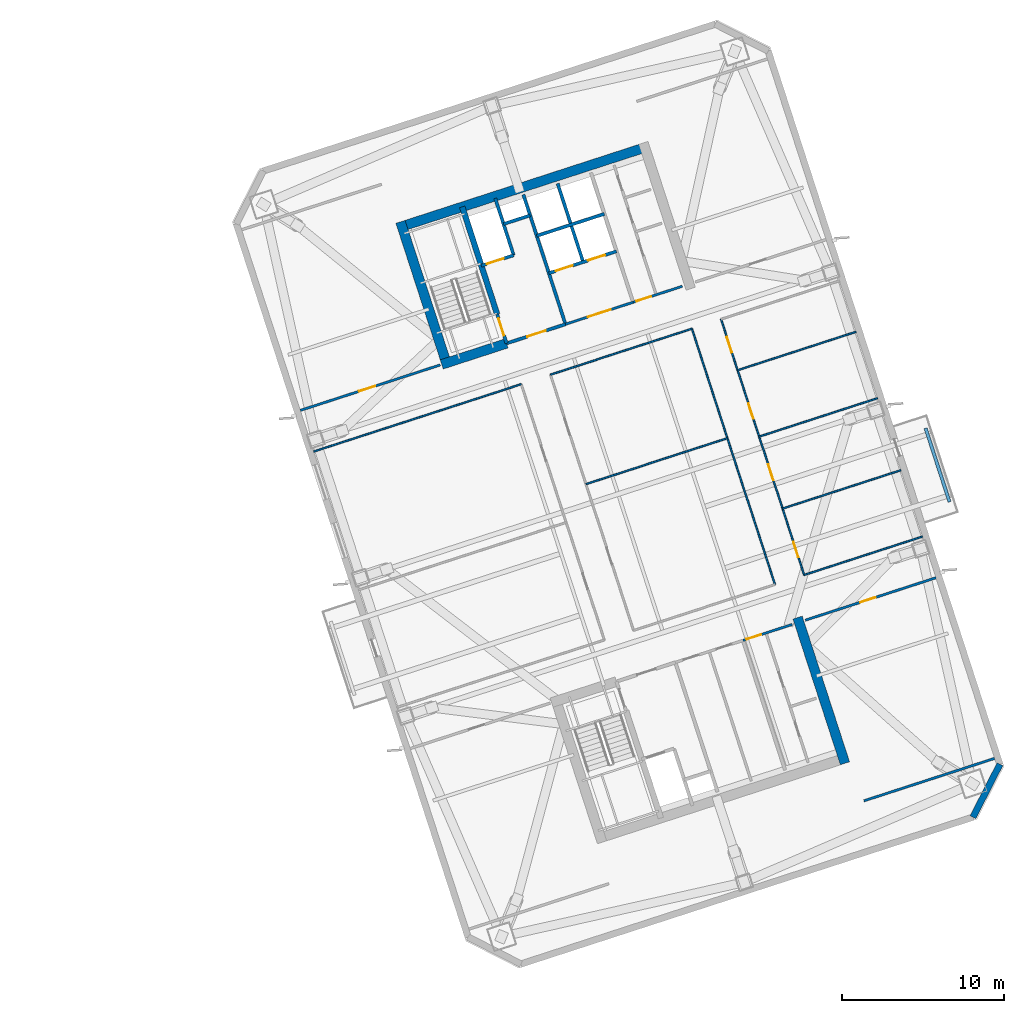
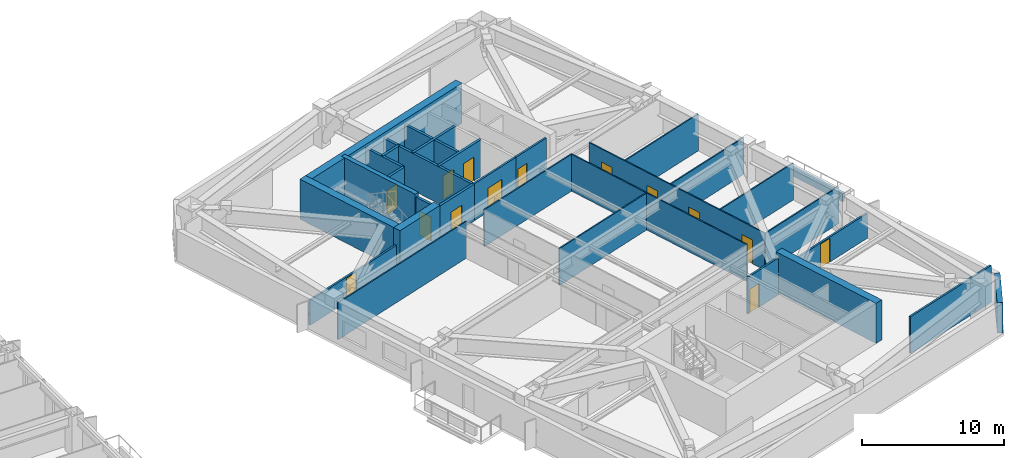
# One storey, part 9 of 17: 31 walls, 14 doors, 14 openings.
"""IFC4 building model written with IfcOpenShell, lengths in metres."""

import ifcopenshell
import ifcopenshell.guid

model = None  # the IFC model being written
_history = None  # IfcOwnerHistory: only IFC2X3 demands one
_inside = {}  # id of a spatial element -> (the spatial element, [elements in it])
_under = {}  # id of a project, library or spatial element -> (it, [spatial elements below it])
_declared = {}  # id of a project -> (the project, [libraries it declares])
_typed = {}  # id of a type object -> (the type object, [elements of that type])
_made_of = {}  # id of a material, layer set ... -> (it, [elements and type objects made of it])


def new_model(schema):
    """Start an empty IFC model of exactly this schema.

    Asked for "IFC4X3", IfcOpenShell would pick the latest addendum, in which some entities
    have other attributes; the version numbers below select the first issue.
    IFC2X3 requires an IfcOwnerHistory on every rooted entity: one is made here for all.
    """
    global model, _history
    if schema == "IFC4X3":
        model = ifcopenshell.file(schema_version=(4, 3, 0, 0))
    else:
        model = ifcopenshell.file(schema=schema)
    _inside.clear()
    _under.clear()
    _declared.clear()
    _typed.clear()
    _made_of.clear()
    _history = None
    if model.schema == "IFC2X3":
        org = make("IfcOrganization", Name="unknown")
        user = make(
            "IfcPersonAndOrganization",
            ThePerson=make("IfcPerson", FamilyName="unknown"),
            TheOrganization=org,
        )
        app = make(
            "IfcApplication",
            ApplicationDeveloper=org,
            Version="unknown",
            ApplicationFullName="unknown",
            ApplicationIdentifier="unknown",
        )
        _history = make(
            "IfcOwnerHistory",
            OwningUser=user,
            OwningApplication=app,
            ChangeAction="ADDED",
            CreationDate=0,
        )
    return model


def make(cls, **values):
    """One entity of the class cls with the attributes given. An attribute that is None is left unset."""
    return model.create_entity(
        cls, **{name: value for name, value in values.items() if value is not None}
    )


def rooted(cls, **values):
    """An entity with a GlobalId (a new one), such as an element, a storey or a relation."""
    return make(cls, GlobalId=ifcopenshell.guid.new(), OwnerHistory=_history, **values)


def si_unit(unit_type, name, prefix=None):
    """IfcSIUnit, for example si_unit("LENGTHUNIT", "METRE", prefix="MILLI")."""
    return make("IfcSIUnit", UnitType=unit_type, Prefix=prefix, Name=name)


def assignment(units):
    """IfcUnitAssignment: the units of a project."""
    return None if units is None else make("IfcUnitAssignment", Units=units)


def point(xyz):
    """IfcCartesianPoint."""
    return None if xyz is None else make("IfcCartesianPoint", Coordinates=xyz)


def direction(xyz):
    """IfcDirection."""
    return None if xyz is None else make("IfcDirection", DirectionRatios=xyz)


def frame(location, z_axis=None, x_axis=None):
    """IfcAxis2Placement3D, a coordinate frame: its origin and axes. An axis left out is left unset."""
    return make(
        "IfcAxis2Placement3D",
        Location=point(location),
        Axis=direction(z_axis),
        RefDirection=direction(x_axis),
    )


def frame_2d(location, x_axis=None):
    """IfcAxis2Placement2D, a coordinate frame in the plane: its origin and x axis."""
    return make(
        "IfcAxis2Placement2D", Location=point(location), RefDirection=direction(x_axis)
    )


def origin():
    """The frame at (0, 0, 0) with its axes left unset."""
    return frame((0.0, 0.0, 0.0))


def place(relative_to, where):
    """IfcLocalPlacement: puts the frame where relative to a parent placement (None: the world)."""
    return make(
        "IfcLocalPlacement", PlacementRelTo=relative_to, RelativePlacement=where
    )


def context(
    kind, dimensions, precision=None, world=None, true_north=None, identifier=None
):
    """IfcGeometricRepresentationContext, for example the 3D "Model" context."""
    return make(
        "IfcGeometricRepresentationContext",
        ContextIdentifier=identifier,
        ContextType=kind,
        CoordinateSpaceDimension=dimensions,
        Precision=precision,
        WorldCoordinateSystem=world,
        TrueNorth=true_north,
    )


def subcontext(parent, identifier, kind, view, scale=None):
    """IfcGeometricRepresentationSubContext, for example "Body" below "Model"."""
    return make(
        "IfcGeometricRepresentationSubContext",
        ContextIdentifier=identifier,
        ContextType=kind,
        ParentContext=parent,
        TargetScale=scale,
        TargetView=view,
    )


def project(units=None, contexts=None):
    """IfcProject with its units and contexts."""
    return rooted(
        "IfcProject",
        Name="project",
        RepresentationContexts=contexts,
        UnitsInContext=assignment(units),
    )


def spatial(cls, under=None, at=None, **own):
    """A site, building, storey or space (cls), placed at a placement, below another one or the project."""
    s = rooted(cls, ObjectPlacement=at, **own)
    if under is not None:
        _under.setdefault(under.id(), (under, []))[1].append(s)
    return s


def profile(cls, at=None, kind="AREA", **sizes):
    """A parametric profile (cls). Its sizes go by their IFC names, for example OverallWidth=200.0."""
    return make(cls, ProfileType=kind, Position=at, **sizes)


def rectangle(**sizes):
    """IfcRectangleProfileDef."""
    return profile("IfcRectangleProfileDef", **sizes)


def extrude(swept, where, along, depth):
    """IfcExtrudedAreaSolid: the profile swept, set in the frame where, extruded along a direction by depth."""
    return make(
        "IfcExtrudedAreaSolid",
        SweptArea=swept,
        Position=where,
        ExtrudedDirection=direction(along),
        Depth=depth,
    )


def shape(context_of_items, identifier, shape_type, items):
    """IfcShapeRepresentation: the items that make up one representation, for example the "Body"."""
    return make(
        "IfcShapeRepresentation",
        ContextOfItems=context_of_items,
        RepresentationIdentifier=identifier,
        RepresentationType=shape_type,
        Items=items,
    )


def material(Name=None, Category=None):
    """IfcMaterial."""
    return make("IfcMaterial", Name=Name, Category=Category)


def layer(
    of_material, thickness, ventilated=None, Name=None, Category=None, Priority=None
):
    """IfcMaterialLayer: one layer of a wall or slab, of a material (None: an air gap)."""
    return make(
        "IfcMaterialLayer",
        Material=of_material,
        LayerThickness=thickness,
        IsVentilated=ventilated,
        Name=Name,
        Category=Category,
        Priority=Priority,
    )


def layer_set(layers, Name=None):
    """IfcMaterialLayerSet."""
    return make("IfcMaterialLayerSet", MaterialLayers=layers, LayerSetName=Name)


def made_of(thing, what):
    """Note that an element or type object is made of a material, layer set ...; save() writes the relation."""
    if what is not None:
        _made_of.setdefault(what.id(), (what, []))[1].append(thing)
    return thing


def type_object(cls, material=None, **own):
    """A type object (cls), such as IfcWallType, which elements share."""
    return made_of(rooted(cls, **own), material)


def element(
    cls,
    number,
    at=None,
    inside=None,
    cuts=None,
    type_object=None,
    material=None,
    context=None,
    identifier="Body",
    shape_type=None,
    held_by="IfcProductDefinitionShape",
    body=None,
    shapes=None,
    **own,
):
    """One element of the class cls, such as IfcWall. Its Tag is "e" and its number.

    at: its placement. inside: the storey or other place that contains it. cuts: it is an
    opening in that element (IfcRelVoidsElement). A single representation is given by context,
    identifier, shape_type and body (its items); several are given by shapes. held_by: the class
    of the entity that holds the representations. save() writes the other relations.
    """
    e = rooted(cls, Tag="e%d" % number, ObjectPlacement=at, **own)
    if body is not None:
        shapes = [shape(context, identifier, shape_type, body)]
    if shapes is not None:
        e.Representation = make(held_by, Representations=shapes)
    if inside is not None:
        _inside.setdefault(inside.id(), (inside, []))[1].append(e)
    if cuts is not None:
        rooted(
            "IfcRelVoidsElement", RelatingBuildingElement=cuts, RelatedOpeningElement=e
        )
    if type_object is not None:
        _typed.setdefault(type_object.id(), (type_object, []))[1].append(e)
    return made_of(e, material)


def fill(opening, filler):
    """IfcRelFillsElement: the door or window that sits in an opening."""
    return rooted(
        "IfcRelFillsElement",
        RelatingOpeningElement=opening,
        RelatedBuildingElement=filler,
    )


def aggregate(whole, parts):
    """IfcRelAggregates: a whole, such as a stair, and the parts it consists of."""
    return rooted("IfcRelAggregates", RelatingObject=whole, RelatedObjects=parts)


def save(model, path):
    """Write the relations noted so far, then the file.

    IfcRelAggregates (storeys below a building ...), IfcRelContainedInSpatialStructure (elements
    in a storey), IfcRelDefinesByType, IfcRelAssociatesMaterial and IfcRelDeclares: one each for
    every whole, place, type object, material and project.
    """
    for whole, parts in _under.values():
        aggregate(whole, parts)
    for where, things in _inside.values():
        rooted(
            "IfcRelContainedInSpatialStructure",
            RelatedElements=things,
            RelatingStructure=where,
        )
    for kind, things in _typed.values():
        rooted("IfcRelDefinesByType", RelatedObjects=things, RelatingType=kind)
    for what, things in _made_of.values():
        rooted("IfcRelAssociatesMaterial", RelatedObjects=things, RelatingMaterial=what)
    for by, libraries in _declared.values():
        rooted("IfcRelDeclares", RelatingContext=by, RelatedDefinitions=libraries)
    model.write(path)


model = new_model("IFC4")

# Units and contexts
model_context = context("Model", 3, precision=1e-05, world=origin(), true_north=direction((0.0, 1.0)))
body_context = subcontext(model_context, "Body", "Model", "MODEL_VIEW")
ifc_project = project(units=[si_unit("LENGTHUNIT", "METRE"), si_unit("AREAUNIT", "SQUARE_METRE"), si_unit("VOLUMEUNIT", "CUBIC_METRE"), si_unit("PLANEANGLEUNIT", "RADIAN"), si_unit("MASSUNIT", "GRAM", prefix="KILO")], contexts=[model_context])

# Site, building, storey
site_placement = place(None, origin())
site = spatial("IfcSite", under=ifc_project, at=site_placement, CompositionType="ELEMENT")
building_placement = place(site_placement, origin())
building = spatial("IfcBuilding", under=site, at=building_placement, Name="Qiaolan Cultural Towers", CompositionType="ELEMENT")
storey_placement = place(building_placement, frame((0.0, 0.0, 131.10009765625)))
storey = spatial("IfcBuildingStorey", under=building, at=storey_placement, Name="L34", CompositionType="ELEMENT", Elevation=131.10009765625)

# Walls
ifc_material_1 = material(Name="Concrete C50", Category="concrete")
ifc_layer_1 = layer(ifc_material_1, 0.35009765625)
ifc_layer_set_1 = layer_set([ifc_layer_1], Name="Concrete C50")
wall_type_1 = type_object("IfcWallType", Name="WL-CORE-350", PredefinedType="SHEAR", material=ifc_layer_set_1)
wall_1_placement = place(storey_placement, frame((82.513671875, 45.13134765625, 0.0), z_axis=(0.0, 0.0, 1.0), x_axis=(-0.308988790936, 0.951065679686, 0.0)))
element("IfcWall", 1, at=wall_1_placement, inside=storey, type_object=wall_type_1, Name="L34 T2-CN Stair Core Dividing Web", PredefinedType="SHEAR", context=body_context, shape_type="SweptSolid", body=[
    extrude(rectangle(XDim=6.97998046875, YDim=0.35009765625, at=frame_2d((3.489990234375, 0.0))), origin(), (0.0, 0.0, 1.0), 3.449951171875),
])
ifc_material_2 = material(Name="Concrete C55", Category="concrete")
ifc_layer_2 = layer(ifc_material_2, 0.60009765625)
ifc_layer_set_2 = layer_set([ifc_layer_2], Name="Concrete C55")
wall_type_2 = type_object("IfcWallType", Name="WL-CORE-600", PredefinedType="SHEAR", material=ifc_layer_set_2)
wall_2_placement = place(storey_placement, frame((101.105224609375, 26.357666015625, 0.0), z_axis=(0.0, 0.0, 1.0), x_axis=(0.309010370028, -0.95105866865, 0.0)))
element("IfcWall", 2, at=wall_2_placement, inside=storey, type_object=wall_type_2, Name="L34 T2-CS East Core Shear Wall", PredefinedType="SHEAR", context=body_context, shape_type="SweptSolid", body=[
    extrude(rectangle(XDim=9.47998046875, YDim=0.60009765625, at=frame_2d((4.739990234375, 0.0))), origin(), (0.0, 0.0, 1.0), 3.449951171875),
])
wall_3_placement = place(storey_placement, frame((76.343505859375, 50.4658203125, 0.0), z_axis=(0.0, 0.0, 1.0), x_axis=(0.951055727519, 0.309019421968, 0.0)))
element("IfcWall", 3, at=wall_3_placement, inside=storey, type_object=wall_type_2, Name="L34 T2-CN Outer Core Shear Wall", PredefinedType="SHEAR", context=body_context, shape_type="SweptSolid", body=[
    extrude(rectangle(XDim=16.39990234375, YDim=0.60009765625, at=frame_2d((8.199951171875, 0.0))), origin(), (0.0, 0.0, 1.0), 3.449951171875),
])
wall_4_placement = place(storey_placement, frame((79.465576171875, 41.827880859375, 0.0), z_axis=(0.0, 0.0, 1.0), x_axis=(-0.309041232772, 0.951048640421, 0.0)))
element("IfcWall", 4, at=wall_4_placement, inside=storey, type_object=wall_type_2, Name="L34 T2-CN West Core Shear Wall", PredefinedType="SHEAR", context=body_context, shape_type="SweptSolid", body=[
    extrude(rectangle(XDim=9.47998046875, YDim=0.60009765625, at=frame_2d((4.739990234375, 0.0))), origin(), (0.0, 0.0, 1.0), 3.449951171875),
])
wall_5_placement = place(storey_placement, frame((79.08740234375, 42.0205078125, 0.0), z_axis=(0.0, 0.0, 1.0), x_axis=(0.951062550203, 0.3089984233, 0.0)))
element("IfcWall", 5, at=wall_5_placement, inside=storey, type_object=wall_type_2, Name="L34 T2-CN Stair Front Shear Wall", PredefinedType="SHEAR", context=body_context, shape_type="SweptSolid", body=[
    extrude(rectangle(XDim=4.219970703125, YDim=0.60009765625, at=frame_2d((2.10986328125, 0.0))), origin(), (0.0, 0.0, 1.0), 3.449951171875),
])
ifc_material_3 = material(Name="Precast Concrete C50 Honed Stone Pier", Category="masonry")
ifc_layer_3 = layer(ifc_material_3, 0.39990234375)
ifc_layer_set_3 = layer_set([ifc_layer_3], Name="Precast Concrete C50 Honed Stone Pier")
wall_type_3 = type_object("IfcWallType", Name="WL-EXT-PIER-400", PredefinedType="SOLIDWALL", material=ifc_layer_set_3)
wall_6_placement = place(storey_placement, frame((113.62255859375, 17.281494140625, 0.0), z_axis=(0.0, 0.0, 1.0), x_axis=(-0.454026238093, -0.890988313685, 0.0)))
element("IfcWall", 6, at=wall_6_placement, inside=storey, type_object=wall_type_3, Name="L34 East Tower Precast Pier Facade Wall F6", PredefinedType="SOLIDWALL", context=body_context, shape_type="SweptSolid", body=[
    extrude(rectangle(XDim=3.677001953125, YDim=0.39990234375, at=frame_2d((1.83837890625, 0.0))), origin(), (0.0, 0.0, 1.0), 2.60986328125),
])

# Wall, opening, door
ifc_material_4 = material(Name="Concrete C35 Fire Wall", Category="concrete")
ifc_layer_4 = layer(ifc_material_4, 0.199951171875)
ifc_layer_set_4 = layer_set([ifc_layer_4], Name="Concrete C35 Fire Wall")
wall_type_4 = type_object("IfcWallType", Name="WL-FIRE-200", PredefinedType="PARTITIONING", material=ifc_layer_set_4)
wall_7_placement = place(storey_placement, frame((83.100830078125, 43.324462890625, 0.0), z_axis=(0.0, 0.0, 1.0), x_axis=(-0.309048298632, 0.951046344356, 0.0)))
wall_7 = element("IfcWall", 7, at=wall_7_placement, inside=storey, type_object=wall_type_4, Name="L34 T2-CN Smokeproof Stair Entry Wall", PredefinedType="PARTITIONING", context=body_context, shape_type="SweptSolid", body=[
    extrude(rectangle(XDim=1.89990234375, YDim=0.199951171875, at=frame_2d((0.949951171875, 0.0))), origin(), (0.0, 0.0, 1.0), 3.1748046875),
])
opening_1_placement = place(wall_7_placement, frame((0.52001953125, 0.0, 0.0)))
opening_1 = element("IfcOpeningElement", 8, at=opening_1_placement, cuts=wall_7, Name="Opening FD-04", PredefinedType="OPENING", context=body_context, shape_type="SweptSolid", body=[
    extrude(rectangle(XDim=1.10009765625, YDim=2.050048828125, at=frame_2d((0.550048828125, 1.02490234375))), frame((0.0, 0.10986328125, 0.0), z_axis=(0.0, -1.0, 0.0), x_axis=(1.0, 0.0, 0.0)), (0.0, 0.0, 1.0), 0.219970703125),
])
ifc_material_5 = material(Name="Galvanized Steel Command Fire Door", Category="steel")
door_type_1 = type_object("IfcDoorType", Name="DR-FD90-1100", OperationType="NOTDEFINED", PredefinedType="DOOR", material=ifc_material_5)
door_1_placement = place(opening_1_placement, origin())
door_1 = element("IfcDoor", 9, at=door_1_placement, inside=storey, type_object=door_type_1, Name="L34 ST-E2 Smokeproof Stair Fire Door", OperationType="SINGLE_SWING_LEFT", OverallHeight=2.050048828125, OverallWidth=1.10009765625, PredefinedType="DOOR", context=body_context, shape_type="SweptSolid", body=[
    extrude(rectangle(XDim=1.10009765625, YDim=2.050048828125, at=frame_2d((0.550048828125, 1.02490234375))), frame((0.0, 0.02490234375, 0.0), z_axis=(0.0, -1.0, 0.0), x_axis=(1.0, 0.0, 0.0)), (0.0, 0.0, 1.0), 0.050048828125),
])
fill(opening_1, door_1)

# Wall
wall_8_placement = place(storey_placement, frame((86.743408203125, 44.508056640625, 0.0), z_axis=(0.0, 0.0, 1.0), x_axis=(-0.309016001439, 0.951056838919, 0.0)))
element("IfcWall", 10, at=wall_8_placement, inside=storey, type_object=wall_type_4, Name="L34 T2-CN Firefighting Zone Wall", PredefinedType="PARTITIONING", context=body_context, shape_type="SweptSolid", body=[
    extrude(rectangle(XDim=8.429931640625, YDim=0.199951171875, at=frame_2d((4.21484375, 0.0))), origin(), (0.0, 0.0, 1.0), 3.1748046875),
])

# Wall, opening, door
wall_9_placement = place(storey_placement, frame((83.100830078125, 43.324462890625, 0.0), z_axis=(0.0, 0.0, 1.0), x_axis=(0.951052804469, 0.309028417967, 0.0)))
wall_9 = element("IfcWall", 11, at=wall_9_placement, inside=storey, type_object=wall_type_4, Name="L34 T2-CN Firefighting Lobby Front Wall", PredefinedType="PARTITIONING", context=body_context, shape_type="SweptSolid", body=[
    extrude(rectangle(XDim=3.830078125, YDim=0.199951171875, at=frame_2d((1.9150390625, 0.0))), origin(), (0.0, 0.0, 1.0), 3.1748046875),
])
opening_2_placement = place(wall_9_placement, frame((1.35009765625, 0.0, 0.0)))
opening_2 = element("IfcOpeningElement", 12, at=opening_2_placement, cuts=wall_9, Name="Opening FD-03", PredefinedType="OPENING", context=body_context, shape_type="SweptSolid", body=[
    extrude(rectangle(XDim=1.199951171875, YDim=2.050048828125, at=frame_2d((0.60009765625, 1.02490234375))), frame((0.0, 0.10986328125, 0.0), z_axis=(0.0, -1.0, 0.0), x_axis=(1.0, 0.0, 0.0)), (0.0, 0.0, 1.0), 0.219970703125),
])
ifc_material_6 = material(Name="Galvanized Steel Smokeproof Lobby Fire Door", Category="steel")
door_type_2 = type_object("IfcDoorType", Name="DR-FD90-1200", OperationType="NOTDEFINED", PredefinedType="DOOR", material=ifc_material_6)
door_2_placement = place(opening_2_placement, origin())
door_2 = element("IfcDoor", 13, at=door_2_placement, inside=storey, type_object=door_type_2, Name="L34 FFL-E2 Firefighting Lobby Fire Door", OperationType="SINGLE_SWING_LEFT", OverallHeight=2.050048828125, OverallWidth=1.199951171875, PredefinedType="DOOR", context=body_context, shape_type="SweptSolid", body=[
    extrude(rectangle(XDim=1.199951171875, YDim=2.050048828125, at=frame_2d((0.60009765625, 1.02490234375))), frame((0.0, 0.02490234375, 0.0), z_axis=(0.0, -1.0, 0.0), x_axis=(1.0, 0.0, 0.0)), (0.0, 0.0, 1.0), 0.050048828125),
])
fill(opening_2, door_2)

wall_10_placement = place(storey_placement, frame((81.540283203125, 48.127197265625, 0.0), z_axis=(0.0, 0.0, 1.0), x_axis=(0.951062257173, 0.308999325213, 0.0)))
wall_10 = element("IfcWall", 14, at=wall_10_placement, inside=storey, type_object=wall_type_4, Name="L34 T2-CN Firefighting Shaft Front Wall", PredefinedType="PARTITIONING", context=body_context, shape_type="SweptSolid", body=[
    extrude(rectangle(XDim=2.10009765625, YDim=0.199951171875, at=frame_2d((1.050048828125, 0.0))), origin(), (0.0, 0.0, 1.0), 3.1748046875),
])
opening_3_placement = place(wall_10_placement, frame((0.35009765625, 0.0, 0.0)))
opening_3 = element("IfcOpeningElement", 15, at=opening_3_placement, cuts=wall_10, Name="Opening LD-01", PredefinedType="OPENING", context=body_context, shape_type="SweptSolid", body=[
    extrude(rectangle(XDim=1.10009765625, YDim=2.050048828125, at=frame_2d((0.550048828125, 1.02490234375))), frame((0.0, 0.10986328125, 0.0), z_axis=(0.0, -1.0, 0.0), x_axis=(1.0, 0.0, 0.0)), (0.0, 0.0, 1.0), 0.219970703125),
])
ifc_material_7 = material(Name="Brushed Stainless Steel S30408 Centre-Parting Lift Landing Door", Category="steel")
door_type_3 = type_object("IfcDoorType", Name="DR-LIFT-1100", OperationType="NOTDEFINED", PredefinedType="DOOR", material=ifc_material_7)
door_3_placement = place(opening_3_placement, origin())
door_3 = element("IfcDoor", 16, at=door_3_placement, inside=storey, type_object=door_type_3, Name="L34 FFL-E2 Firefighting Lift Landing Door", OperationType="DOUBLE_DOOR_SLIDING", OverallHeight=2.050048828125, OverallWidth=1.10009765625, PredefinedType="DOOR", context=body_context, shape_type="SweptSolid", body=[
    extrude(rectangle(XDim=1.10009765625, YDim=2.050048828125, at=frame_2d((0.550048828125, 1.02490234375))), frame((0.0, 0.02490234375, 0.0), z_axis=(0.0, -1.0, 0.0), x_axis=(1.0, 0.0, 0.0)), (0.0, 0.0, 1.0), 0.050048828125),
])
fill(opening_3, door_3)

# Walls
wall_11_placement = place(storey_placement, frame((83.53759765625, 48.776123046875, 0.0), z_axis=(0.0, 0.0, 1.0), x_axis=(-0.3089935693, 0.951064127245, 0.0)))
element("IfcWall", 17, at=wall_11_placement, inside=storey, type_object=wall_type_4, Name="L34 T2-CN Firefighting Hoistway East Wall", PredefinedType="PARTITIONING", context=body_context, shape_type="SweptSolid", body=[
    extrude(rectangle(XDim=3.7001953125, YDim=0.199951171875, at=frame_2d((1.85009765625, 0.0))), origin(), (0.0, 0.0, 1.0), 3.1748046875),
])
wall_12_placement = place(storey_placement, frame((82.910400390625, 50.706787109375, 0.0), z_axis=(0.0, 0.0, 1.0), x_axis=(0.951041328149, 0.309063734775, 0.0)))
element("IfcWall", 18, at=wall_12_placement, inside=storey, type_object=wall_type_4, Name="L34 T2-CN Pressurization Shaft Front Wall", PredefinedType="PARTITIONING", context=body_context, shape_type="SweptSolid", body=[
    extrude(rectangle(XDim=1.72998046875, YDim=0.199951171875, at=frame_2d((0.864990234375, 0.0))), origin(), (0.0, 0.0, 1.0), 3.1748046875),
])

# Wall, openings, doors
wall_13_placement = place(storey_placement, frame((85.717529296875, 47.66552734375, 0.0), z_axis=(0.0, 0.0, 1.0), x_axis=(0.951058531764, 0.30901079133, 0.0)))
wall_13 = element("IfcWall", 19, at=wall_13_placement, inside=storey, type_object=wall_type_4, Name="L34 T2-CN Passenger Lift Shaft Front Wall", PredefinedType="PARTITIONING", context=body_context, shape_type="SweptSolid", body=[
    extrude(rectangle(XDim=4.39990234375, YDim=0.199951171875, at=frame_2d((2.199951171875, 0.0))), origin(), (0.0, 0.0, 1.0), 3.1748046875),
])
opening_4_placement = place(wall_13_placement, frame((0.449951171875, 0.0, 0.0)))
opening_4 = element("IfcOpeningElement", 20, at=opening_4_placement, cuts=wall_13, Name="Opening LD-01", PredefinedType="OPENING", context=body_context, shape_type="SweptSolid", body=[
    extrude(rectangle(XDim=1.10009765625, YDim=2.050048828125, at=frame_2d((0.550048828125, 1.02490234375))), frame((0.0, 0.10986328125, 0.0), z_axis=(0.0, -1.0, 0.0), x_axis=(1.0, 0.0, 0.0)), (0.0, 0.0, 1.0), 0.219970703125),
])
opening_5_placement = place(wall_13_placement, frame((2.550048828125, 0.0, 0.0)))
opening_5 = element("IfcOpeningElement", 21, at=opening_5_placement, cuts=wall_13, Name="Opening LD-01", PredefinedType="OPENING", context=body_context, shape_type="SweptSolid", body=[
    extrude(rectangle(XDim=1.10009765625, YDim=2.050048828125, at=frame_2d((0.550048828125, 1.02490234375))), frame((0.0, 0.10986328125, 0.0), z_axis=(0.0, -1.0, 0.0), x_axis=(1.0, 0.0, 0.0)), (0.0, 0.0, 1.0), 0.219970703125),
])
door_4_placement = place(opening_4_placement, origin())
door_4 = element("IfcDoor", 22, at=door_4_placement, inside=storey, type_object=door_type_3, Name="L34 Passenger Lift 1 Landing Door", OperationType="DOUBLE_DOOR_SLIDING", OverallHeight=2.050048828125, OverallWidth=1.10009765625, PredefinedType="DOOR", context=body_context, shape_type="SweptSolid", body=[
    extrude(rectangle(XDim=1.10009765625, YDim=2.050048828125, at=frame_2d((0.550048828125, 1.02490234375))), frame((0.0, 0.02490234375, 0.0), z_axis=(0.0, -1.0, 0.0), x_axis=(1.0, 0.0, 0.0)), (0.0, 0.0, 1.0), 0.050048828125),
])
fill(opening_4, door_4)
door_5_placement = place(opening_5_placement, origin())
door_5 = element("IfcDoor", 23, at=door_5_placement, inside=storey, type_object=door_type_3, Name="L34 Passenger Lift 2 Landing Door", OperationType="DOUBLE_DOOR_SLIDING", OverallHeight=2.050048828125, OverallWidth=1.10009765625, PredefinedType="DOOR", context=body_context, shape_type="SweptSolid", body=[
    extrude(rectangle(XDim=1.10009765625, YDim=2.050048828125, at=frame_2d((0.550048828125, 1.02490234375))), frame((0.0, 0.02490234375, 0.0), z_axis=(0.0, -1.0, 0.0), x_axis=(1.0, 0.0, 0.0)), (0.0, 0.0, 1.0), 0.050048828125),
])
fill(opening_5, door_5)

# Walls
wall_14_placement = place(storey_placement, frame((87.83837890625, 48.3544921875, 0.0), z_axis=(0.0, 0.0, 1.0), x_axis=(-0.3090093719, 0.951058992953, 0.0)))
element("IfcWall", 24, at=wall_14_placement, inside=storey, type_object=wall_type_4, Name="L34 T2-CN Lift Shaft Divider Wall", PredefinedType="PARTITIONING", context=body_context, shape_type="SweptSolid", body=[
    extrude(rectangle(XDim=5.110107421875, YDim=0.199951171875, at=frame_2d((2.55517578125, 0.0))), origin(), (0.0, 0.0, 1.0), 3.1748046875),
])
wall_15_placement = place(storey_placement, frame((84.966552734375, 49.9765625, 0.0), z_axis=(0.0, 0.0, 1.0), x_axis=(0.951063829732, 0.308994485023, 0.0)))
element("IfcWall", 25, at=wall_15_placement, inside=storey, type_object=wall_type_4, Name="L34 T2-CN Passenger Lift Shaft Back Wall", PredefinedType="PARTITIONING", context=body_context, shape_type="SweptSolid", body=[
    extrude(rectangle(XDim=4.400146484375, YDim=0.199951171875, at=frame_2d((2.2001953125, 0.0))), origin(), (0.0, 0.0, 1.0), 3.1748046875),
])
ifc_material_8 = material(Name="Acoustic Double-Glazed Partition Frame", Category="glass")
ifc_layer_5 = layer(ifc_material_8, 0.10009765625)
ifc_layer_set_5 = layer_set([ifc_layer_5], Name="Acoustic Double-Glazed Partition Frame")
wall_type_5 = type_object("IfcWallType", Name="WL-GLAZED-100", PredefinedType="MOVABLE", material=ifc_layer_set_5)
wall_16_placement = place(storey_placement, frame((101.510986328125, 28.991943359375, 0.0), z_axis=(0.0, 0.0, 1.0), x_axis=(0.951056202154, 0.3090179612, 0.0)))
element("IfcWall", 26, at=wall_16_placement, inside=storey, type_object=wall_type_5, Name="L34 T2 Interior Wall", PredefinedType="MOVABLE", context=body_context, shape_type="SweptSolid", body=[
    extrude(rectangle(XDim=7.699951171875, YDim=0.10009765625, at=frame_2d((3.85009765625, 0.0))), origin(), (0.0, 0.0, 1.0), 3.1748046875),
])
wall_17_placement = place(storey_placement, frame((71.166015625, 36.628662109375, 0.0), z_axis=(0.0, 0.0, 1.0), x_axis=(0.951057589409, 0.309013691651, 0.0)))
element("IfcWall", 27, at=wall_17_placement, inside=storey, type_object=wall_type_5, Name="L34 T2 Interior Wall", PredefinedType="MOVABLE", context=body_context, shape_type="SweptSolid", body=[
    extrude(rectangle(XDim=13.499755859375, YDim=0.10009765625, at=frame_2d((6.75, 0.0))), origin(), (0.0, 0.0, 1.0), 3.1748046875),
])
wall_18_placement = place(storey_placement, frame((85.812255859375, 41.387451171875, 0.0), z_axis=(0.0, 0.0, 1.0), x_axis=(0.951054933035, 0.309021867106, 0.0)))
element("IfcWall", 28, at=wall_18_placement, inside=storey, type_object=wall_type_5, Name="L34 T2 Interior Wall", PredefinedType="MOVABLE", context=body_context, shape_type="SweptSolid", body=[
    extrude(rectangle(XDim=9.199951171875, YDim=0.10009765625, at=frame_2d((4.60009765625, 0.0))), origin(), (0.0, 0.0, 1.0), 3.1748046875),
])
wall_19_placement = place(storey_placement, frame((99.703857421875, 28.40478515625, 0.0), z_axis=(0.0, 0.0, 1.0), x_axis=(-0.309004459387, 0.951060589068, 0.0)))
element("IfcWall", 29, at=wall_19_placement, inside=storey, type_object=wall_type_5, Name="L34 T2 Interior Wall", PredefinedType="MOVABLE", context=body_context, shape_type="SweptSolid", body=[
    extrude(rectangle(XDim=16.64013671875, YDim=0.10009765625, at=frame_2d((8.320068359375, 0.0))), origin(), (0.0, 0.0, 1.0), 3.1748046875),
])

# Wall, openings, doors
wall_20_placement = place(storey_placement, frame((101.510986328125, 28.991943359375, 0.0), z_axis=(0.0, 0.0, 1.0), x_axis=(-0.30901773025, 0.951056277195, 0.0)))
wall_20 = element("IfcWall", 30, at=wall_20_placement, inside=storey, type_object=wall_type_5, Name="L34 T2 Interior Wall", PredefinedType="MOVABLE", context=body_context, shape_type="SweptSolid", body=[
    extrude(rectangle(XDim=16.64013671875, YDim=0.10009765625, at=frame_2d((8.320068359375, 0.0))), origin(), (0.0, 0.0, 1.0), 3.1748046875),
])
opening_6_placement = place(wall_20_placement, frame((1.159912109375, 0.0, 0.0)))
opening_6 = element("IfcOpeningElement", 31, at=opening_6_placement, cuts=wall_20, Name="Opening ID-04", PredefinedType="OPENING", context=body_context, shape_type="SweptSolid", body=[
    extrude(rectangle(XDim=1.0, YDim=2.050048828125, at=frame_2d((0.5, 1.02490234375))), frame((0.0, 0.06005859375, 0.0), z_axis=(0.0, -1.0, 0.0), x_axis=(1.0, 0.0, 0.0)), (0.0, 0.0, 1.0), 0.1201171875),
])
opening_7_placement = place(wall_20_placement, frame((6.159912109375, 0.0, 0.0)))
opening_7 = element("IfcOpeningElement", 32, at=opening_7_placement, cuts=wall_20, Name="Opening ID-07", PredefinedType="OPENING", context=body_context, shape_type="SweptSolid", body=[
    extrude(rectangle(XDim=1.050048828125, YDim=2.050048828125, at=frame_2d((0.52490234375, 1.02490234375))), frame((0.0, 0.06005859375, 0.0), z_axis=(0.0, -1.0, 0.0), x_axis=(1.0, 0.0, 0.0)), (0.0, 0.0, 1.0), 0.1201171875),
])
opening_8_placement = place(wall_20_placement, frame((10.159912109375, 0.0, 0.0)))
opening_8 = element("IfcOpeningElement", 33, at=opening_8_placement, cuts=wall_20, Name="Opening ID-04", PredefinedType="OPENING", context=body_context, shape_type="SweptSolid", body=[
    extrude(rectangle(XDim=1.0, YDim=2.050048828125, at=frame_2d((0.5, 1.02490234375))), frame((0.0, 0.06005859375, 0.0), z_axis=(0.0, -1.0, 0.0), x_axis=(1.0, 0.0, 0.0)), (0.0, 0.0, 1.0), 0.1201171875),
])
opening_9_placement = place(wall_20_placement, frame((14.47998046875, 0.0, 0.0)))
opening_9 = element("IfcOpeningElement", 34, at=opening_9_placement, cuts=wall_20, Name="Opening ID-04", PredefinedType="OPENING", context=body_context, shape_type="SweptSolid", body=[
    extrude(rectangle(XDim=1.0, YDim=2.050048828125, at=frame_2d((0.5, 1.02490234375))), frame((0.0, 0.06005859375, 0.0), z_axis=(0.0, -1.0, 0.0), x_axis=(1.0, 0.0, 0.0)), (0.0, 0.0, 1.0), 0.1201171875),
])
ifc_material_9 = material(Name="Oak Veneer Acoustic Office Door", Category="timber")
door_type_4 = type_object("IfcDoorType", Name="DR-INT-1000", OperationType="NOTDEFINED", PredefinedType="DOOR", material=ifc_material_9)
door_6_placement = place(opening_6_placement, origin())
door_6 = element("IfcDoor", 35, at=door_6_placement, inside=storey, type_object=door_type_4, Name="L34 T2 Staff Dining Kitchen Door", OperationType="SINGLE_SWING_RIGHT", OverallHeight=2.050048828125, OverallWidth=1.0, PredefinedType="DOOR", context=body_context, shape_type="SweptSolid", body=[
    extrude(rectangle(XDim=1.0, YDim=2.050048828125, at=frame_2d((0.5, 1.02490234375))), frame((0.0, 0.02490234375, 0.0), z_axis=(0.0, -1.0, 0.0), x_axis=(1.0, 0.0, 0.0)), (0.0, 0.0, 1.0), 0.050048828125),
])
fill(opening_6, door_6)
door_7_placement = place(opening_8_placement, origin())
door_7 = element("IfcDoor", 36, at=door_7_placement, inside=storey, type_object=door_type_4, Name="L34 T2 Recreation Lounge Door", OperationType="SINGLE_SWING_LEFT", OverallHeight=2.050048828125, OverallWidth=1.0, PredefinedType="DOOR", context=body_context, shape_type="SweptSolid", body=[
    extrude(rectangle(XDim=1.0, YDim=2.050048828125, at=frame_2d((0.5, 1.02490234375))), frame((0.0, 0.02490234375, 0.0), z_axis=(0.0, -1.0, 0.0), x_axis=(1.0, 0.0, 0.0)), (0.0, 0.0, 1.0), 0.050048828125),
])
fill(opening_8, door_7)
door_8_placement = place(opening_9_placement, origin())
door_8 = element("IfcDoor", 37, at=door_8_placement, inside=storey, type_object=door_type_4, Name="L34 T2 Staff Dining Kitchen Door", OperationType="SINGLE_SWING_LEFT", OverallHeight=2.050048828125, OverallWidth=1.0, PredefinedType="DOOR", context=body_context, shape_type="SweptSolid", body=[
    extrude(rectangle(XDim=1.0, YDim=2.050048828125, at=frame_2d((0.5, 1.02490234375))), frame((0.0, 0.02490234375, 0.0), z_axis=(0.0, -1.0, 0.0), x_axis=(1.0, 0.0, 0.0)), (0.0, 0.0, 1.0), 0.050048828125),
])
fill(opening_9, door_8)
ifc_material_10 = material(Name="Oak Veneer Consultation Door", Category="timber")
door_type_5 = type_object("IfcDoorType", Name="DR-INT-1050", OperationType="NOTDEFINED", PredefinedType="DOOR", material=ifc_material_10)
door_9_placement = place(opening_7_placement, origin())
door_9 = element("IfcDoor", 38, at=door_9_placement, inside=storey, type_object=door_type_5, Name="L34 T2 Staff Dining Kitchen Door", OperationType="SINGLE_SWING_RIGHT", OverallHeight=2.050048828125, OverallWidth=1.050048828125, PredefinedType="DOOR", context=body_context, shape_type="SweptSolid", body=[
    extrude(rectangle(XDim=1.050048828125, YDim=2.050048828125, at=frame_2d((0.52490234375, 1.02490234375))), frame((0.0, 0.02490234375, 0.0), z_axis=(0.0, -1.0, 0.0), x_axis=(1.0, 0.0, 0.0)), (0.0, 0.0, 1.0), 0.050048828125),
])
fill(opening_7, door_9)

# Walls
wall_21_placement = place(storey_placement, frame((88.012451171875, 34.615966796875, 0.0), z_axis=(0.0, 0.0, 1.0), x_axis=(0.951054933035, 0.309021867106, 0.0)))
element("IfcWall", 39, at=wall_21_placement, inside=storey, type_object=wall_type_5, Name="L34 T2 Interior Wall", PredefinedType="MOVABLE", context=body_context, shape_type="SweptSolid", body=[
    extrude(rectangle(XDim=9.199951171875, YDim=0.10009765625, at=frame_2d((4.60009765625, 0.0))), origin(), (0.0, 0.0, 1.0), 3.1748046875),
])
wall_22_placement = place(storey_placement, frame((100.176025390625, 33.1005859375, 0.0), z_axis=(0.0, 0.0, 1.0), x_axis=(0.951056202154, 0.3090179612, 0.0)))
element("IfcWall", 40, at=wall_22_placement, inside=storey, type_object=wall_type_5, Name="L34 T2 Interior Wall", PredefinedType="MOVABLE", context=body_context, shape_type="SweptSolid", body=[
    extrude(rectangle(XDim=7.699951171875, YDim=0.10009765625, at=frame_2d((3.85009765625, 0.0))), origin(), (0.0, 0.0, 1.0), 3.1748046875),
])
for number, where, z_axis, x_axis, name in (
    (41, (98.729736328125, 37.551513671875, 0.0), (0.0, 0.0, 1.0), (0.9510592298, 0.30900864294, 0.0), "L34 T2 Interior Wall"),
    (42, (97.394775390625, 41.66015625, 0.0), (0.0, 0.0, 1.0), (0.9510592298, 0.30900864294, 0.0), "L34 T2 Interior Wall"),
):
    element("IfcWall", number, at=place(storey_placement, frame(where, z_axis=z_axis, x_axis=x_axis)), inside=storey, type_object=wall_type_5, Name=name, PredefinedType="MOVABLE", context=body_context, shape_type="SweptSolid", body=[
        extrude(rectangle(XDim=7.7001953125, YDim=0.10009765625, at=frame_2d((3.85009765625, 0.0))), origin(), (0.0, 0.0, 1.0), 3.1748046875),
    ])

# Wall, opening, door
ifc_material_11 = material(Name="Autoclaved Aerated Concrete Block B06", Category="concrete")
ifc_layer_6 = layer(ifc_material_11, 0.14990234375)
ifc_layer_set_6 = layer_set([ifc_layer_6], Name="Autoclaved Aerated Concrete Block B06")
wall_type_6 = type_object("IfcWallType", Name="WL-PART-150", PredefinedType="PARTITIONING", material=ifc_layer_set_6)
wall_23_placement = place(storey_placement, frame((97.7265625, 24.9443359375, 0.0), z_axis=(0.0, 0.0, 1.0), x_axis=(0.951036872128, 0.309077446369, 0.0)))
wall_23 = element("IfcWall", 43, at=wall_23_placement, inside=storey, type_object=wall_type_6, Name="L34 T2-CS Sanitary Core Front Wall", PredefinedType="PARTITIONING", context=body_context, shape_type="SweptSolid", body=[
    extrude(rectangle(XDim=3.199951171875, YDim=0.14990234375, at=frame_2d((1.60009765625, 0.0))), origin(), (0.0, 0.0, 1.0), 3.1748046875),
])
opening_10_placement = place(wall_23_placement, frame((0.219970703125, 0.0, 0.0)))
opening_10 = element("IfcOpeningElement", 44, at=opening_10_placement, cuts=wall_23, Name="Opening ID-05", PredefinedType="OPENING", context=body_context, shape_type="SweptSolid", body=[
    extrude(rectangle(XDim=0.949951171875, YDim=2.050048828125, at=frame_2d((0.47509765625, 1.02490234375))), frame((0.0, 0.0849609375, 0.0), z_axis=(0.0, -1.0, 0.0), x_axis=(1.0, 0.0, 0.0)), (0.0, 0.0, 1.0), 0.169921875),
])
ifc_material_12 = material(Name="Fire-Rated Laminate Accessible Core Door", Category="timber")
door_type_6 = type_object("IfcDoorType", Name="DR-INT-950", OperationType="NOTDEFINED", PredefinedType="DOOR", material=ifc_material_12)
door_10_placement = place(opening_10_placement, origin())
door_10 = element("IfcDoor", 45, at=door_10_placement, inside=storey, type_object=door_type_6, Name="L34 Sanitary Lobby Door", OperationType="SINGLE_SWING_LEFT", OverallHeight=2.050048828125, OverallWidth=0.949951171875, PredefinedType="DOOR", context=body_context, shape_type="SweptSolid", body=[
    extrude(rectangle(XDim=0.949951171875, YDim=2.050048828125, at=frame_2d((0.47509765625, 1.02490234375))), frame((0.0, 0.02490234375, 0.0), z_axis=(0.0, -1.0, 0.0), x_axis=(1.0, 0.0, 0.0)), (0.0, 0.0, 1.0), 0.050048828125),
])
fill(opening_10, door_10)

wall_24_placement = place(storey_placement, frame((86.743408203125, 44.508056640625, 0.0), z_axis=(0.0, 0.0, 1.0), x_axis=(0.951063829732, 0.308994485023, 0.0)))
wall_24 = element("IfcWall", 46, at=wall_24_placement, inside=storey, type_object=wall_type_6, Name="L34 T2-CN Passenger Lift Lobby Front Wall", PredefinedType="PARTITIONING", context=body_context, shape_type="SweptSolid", body=[
    extrude(rectangle(XDim=4.400146484375, YDim=0.14990234375, at=frame_2d((2.2001953125, 0.0))), origin(), (0.0, 0.0, 1.0), 3.1748046875),
])
opening_11_placement = place(wall_24_placement, frame((1.449951171875, 0.0, 0.0)))
opening_11 = element("IfcOpeningElement", 47, at=opening_11_placement, cuts=wall_24, Name="Opening FD-05", PredefinedType="OPENING", context=body_context, shape_type="SweptSolid", body=[
    extrude(rectangle(XDim=1.5, YDim=2.050048828125, at=frame_2d((0.75, 1.02490234375))), frame((0.0, 0.0849609375, 0.0), z_axis=(0.0, -1.0, 0.0), x_axis=(1.0, 0.0, 0.0)), (0.0, 0.0, 1.0), 0.169921875),
])
ifc_material_13 = material(Name="Painted Steel Lift Lobby Fire Door", Category="steel")
door_type_7 = type_object("IfcDoorType", Name="DR-FD60-1500", OperationType="NOTDEFINED", PredefinedType="DOOR", material=ifc_material_13)
door_11_placement = place(opening_11_placement, origin())
door_11 = element("IfcDoor", 48, at=door_11_placement, inside=storey, type_object=door_type_7, Name="L34 Passenger Lift Lobby Entrance", OperationType="SINGLE_SWING_LEFT", OverallHeight=2.050048828125, OverallWidth=1.5, PredefinedType="DOOR", context=body_context, shape_type="SweptSolid", body=[
    extrude(rectangle(XDim=1.5, YDim=2.050048828125, at=frame_2d((0.75, 1.02490234375))), frame((0.0, 0.02490234375, 0.0), z_axis=(0.0, -1.0, 0.0), x_axis=(1.0, 0.0, 0.0)), (0.0, 0.0, 1.0), 0.050048828125),
])
fill(opening_11, door_11)

wall_25_placement = place(storey_placement, frame((90.92822265625, 45.86767578125, 0.0), z_axis=(0.0, 0.0, 1.0), x_axis=(0.951059297078, 0.309008435874, 0.0)))
wall_25 = element("IfcWall", 49, at=wall_25_placement, inside=storey, type_object=wall_type_6, Name="L34 T2-CN Sanitary Core Front Wall", PredefinedType="PARTITIONING", context=body_context, shape_type="SweptSolid", body=[
    extrude(rectangle(XDim=3.19970703125, YDim=0.14990234375, at=frame_2d((1.599853515625, 0.0))), origin(), (0.0, 0.0, 1.0), 3.1748046875),
])
opening_12_placement = place(wall_25_placement, frame((0.219970703125, 0.0, 0.0)))
opening_12 = element("IfcOpeningElement", 50, at=opening_12_placement, cuts=wall_25, Name="Opening ID-05", PredefinedType="OPENING", context=body_context, shape_type="SweptSolid", body=[
    extrude(rectangle(XDim=0.949951171875, YDim=2.050048828125, at=frame_2d((0.47509765625, 1.02490234375))), frame((0.0, 0.0849609375, 0.0), z_axis=(0.0, -1.0, 0.0), x_axis=(1.0, 0.0, 0.0)), (0.0, 0.0, 1.0), 0.169921875),
])
door_12_placement = place(opening_12_placement, origin())
door_12 = element("IfcDoor", 51, at=door_12_placement, inside=storey, type_object=door_type_6, Name="L34 Sanitary Vestibule Door", OperationType="SINGLE_SWING_LEFT", OverallHeight=2.050048828125, OverallWidth=0.949951171875, PredefinedType="DOOR", context=body_context, shape_type="SweptSolid", body=[
    extrude(rectangle(XDim=0.949951171875, YDim=2.050048828125, at=frame_2d((0.47509765625, 1.02490234375))), frame((0.0, 0.02490234375, 0.0), z_axis=(0.0, -1.0, 0.0), x_axis=(1.0, 0.0, 0.0)), (0.0, 0.0, 1.0), 0.050048828125),
])
fill(opening_12, door_12)

# Wall
wall_26_placement = place(storey_placement, frame((105.209228515625, 15.02099609375, 0.0), z_axis=(0.0, 0.0, 1.0), x_axis=(0.951054329824, 0.309023723562, 0.0)))
element("IfcWall", 52, at=wall_26_placement, inside=storey, type_object=wall_type_6, Name="L34 T2 Flank Wall FLK-SE", PredefinedType="PARTITIONING", context=body_context, shape_type="SweptSolid", body=[
    extrude(rectangle(XDim=8.5, YDim=0.14990234375, at=frame_2d((4.25, 0.0))), origin(), (0.0, 0.0, 1.0), 3.1748046875),
])

# Wall, opening, door
wall_27_placement = place(storey_placement, frame((101.578369140625, 26.196044921875, 0.0), z_axis=(0.0, 0.0, 1.0), x_axis=(0.951062770994, 0.308997743729, 0.0)))
wall_27 = element("IfcWall", 53, at=wall_27_placement, inside=storey, type_object=wall_type_6, Name="L34 T2 Flank Front FLK-SE", PredefinedType="PARTITIONING", context=body_context, shape_type="SweptSolid", body=[
    extrude(rectangle(XDim=8.5, YDim=0.14990234375, at=frame_2d((4.25, 0.0))), origin(), (0.0, 0.0, 1.0), 2.14990234375),
])
opening_13_placement = place(wall_27_placement, frame((3.570068359375, 0.0, 0.0)))
opening_13 = element("IfcOpeningElement", 54, at=opening_13_placement, cuts=wall_27, Name="Opening ID-04", PredefinedType="OPENING", context=body_context, shape_type="SweptSolid", body=[
    extrude(rectangle(XDim=1.0, YDim=2.050048828125, at=frame_2d((0.5, 1.02490234375))), frame((0.0, 0.0849609375, 0.0), z_axis=(0.0, -1.0, 0.0), x_axis=(1.0, 0.0, 0.0)), (0.0, 0.0, 1.0), 0.169921875),
])
door_13_placement = place(opening_13_placement, origin())
door_13 = element("IfcDoor", 55, at=door_13_placement, inside=storey, type_object=door_type_4, Name="L34 T2 Corner Studio Door", OperationType="SINGLE_SWING_LEFT", OverallHeight=2.050048828125, OverallWidth=1.0, PredefinedType="DOOR", context=body_context, shape_type="SweptSolid", body=[
    extrude(rectangle(XDim=1.0, YDim=2.050048828125, at=frame_2d((0.5, 1.02490234375))), frame((0.0, 0.02490234375, 0.0), z_axis=(0.0, -1.0, 0.0), x_axis=(1.0, 0.0, 0.0)), (0.0, 0.0, 1.0), 0.050048828125),
])
fill(opening_13, door_13)

wall_28_placement = place(storey_placement, frame((70.337646484375, 39.177490234375, 0.0), z_axis=(0.0, 0.0, 1.0), x_axis=(0.951059695568, 0.309007209409, 0.0)))
wall_28 = element("IfcWall", 56, at=wall_28_placement, inside=storey, type_object=wall_type_6, Name="L34 T2 Flank Front FLK-NW", PredefinedType="PARTITIONING", context=body_context, shape_type="SweptSolid", body=[
    extrude(rectangle(XDim=9.10009765625, YDim=0.14990234375, at=frame_2d((4.550048828125, 0.0))), origin(), (0.0, 0.0, 1.0), 2.14990234375),
])
opening_14_placement = place(wall_28_placement, frame((3.822021484375, 0.0, 0.0)))
opening_14 = element("IfcOpeningElement", 57, at=opening_14_placement, cuts=wall_28, Name="Opening ID-07", PredefinedType="OPENING", context=body_context, shape_type="SweptSolid", body=[
    extrude(rectangle(XDim=1.050048828125, YDim=2.050048828125, at=frame_2d((0.52490234375, 1.02490234375))), frame((0.0, 0.0849609375, 0.0), z_axis=(0.0, -1.0, 0.0), x_axis=(1.0, 0.0, 0.0)), (0.0, 0.0, 1.0), 0.169921875),
])
door_14_placement = place(opening_14_placement, origin())
door_14 = element("IfcDoor", 58, at=door_14_placement, inside=storey, type_object=door_type_5, Name="L34 T2 Corner Studio Door", OperationType="SINGLE_SWING_LEFT", OverallHeight=2.050048828125, OverallWidth=1.050048828125, PredefinedType="DOOR", context=body_context, shape_type="SweptSolid", body=[
    extrude(rectangle(XDim=1.050048828125, YDim=2.050048828125, at=frame_2d((0.52490234375, 1.02490234375))), frame((0.0, 0.02490234375, 0.0), z_axis=(0.0, -1.0, 0.0), x_axis=(1.0, 0.0, 0.0)), (0.0, 0.0, 1.0), 0.050048828125),
])
fill(opening_14, door_14)

# Wall
ifc_material_14 = material(Name="Precast Concrete C45 Tree Planter Upstand", Category="concrete")
ifc_layer_7 = layer(ifc_material_14, 0.199951171875)
ifc_layer_set_7 = layer_set([ifc_layer_7], Name="Precast Concrete C45 Tree Planter Upstand")
wall_type_7 = type_object("IfcWallType", Name="WL-PLANTER-200", PredefinedType="PARAPET", material=ifc_layer_set_7)
wall_29_placement = place(storey_placement, frame((110.504150390625, 33.51220703125, 0.0), z_axis=(0.0, 0.0, 1.0), x_axis=(-0.308986014439, 0.951066581729, 0.0)))
element("IfcWall", 59, at=wall_29_placement, inside=storey, type_object=wall_type_7, Name="L34 T2 Tree Balcony Soil Planter Box E", PredefinedType="PARAPET", context=body_context, shape_type="SweptSolid", body=[
    extrude(rectangle(XDim=4.800048828125, YDim=0.199951171875, at=frame_2d((2.39990234375, 0.0))), origin(), (0.0, 0.0, 1.0), 0.75),
])

save(model, "model.ifc")
